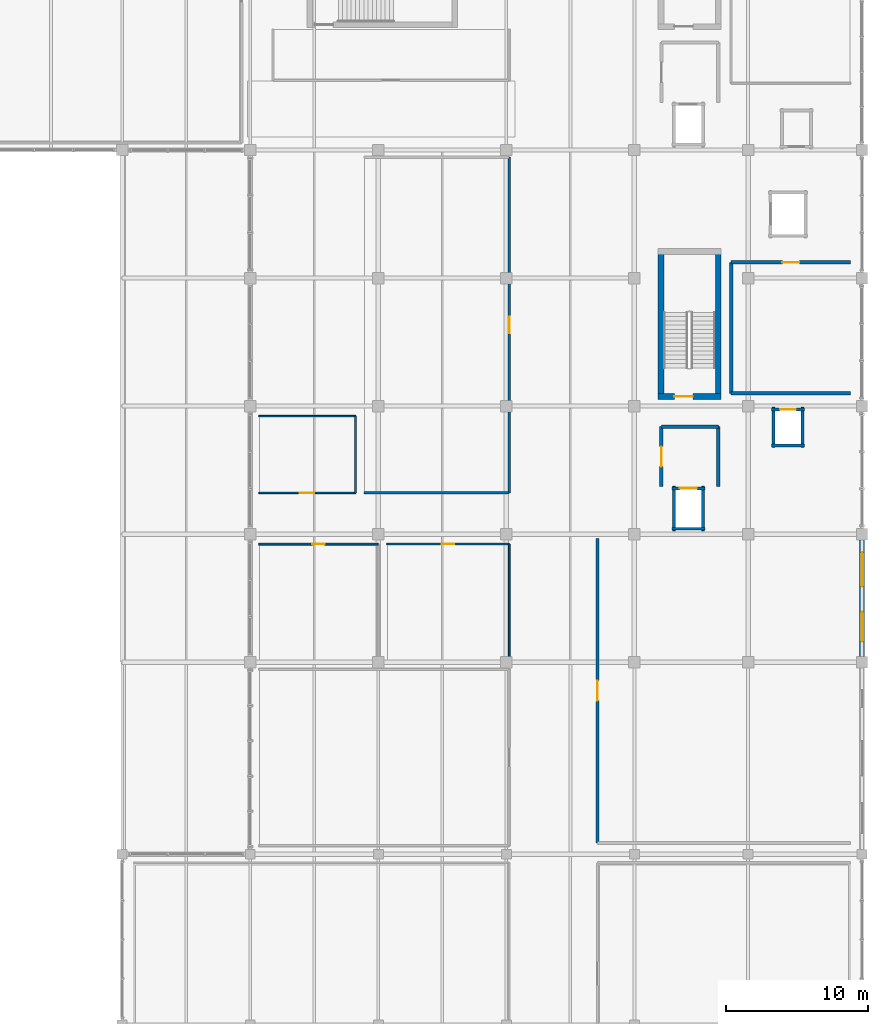
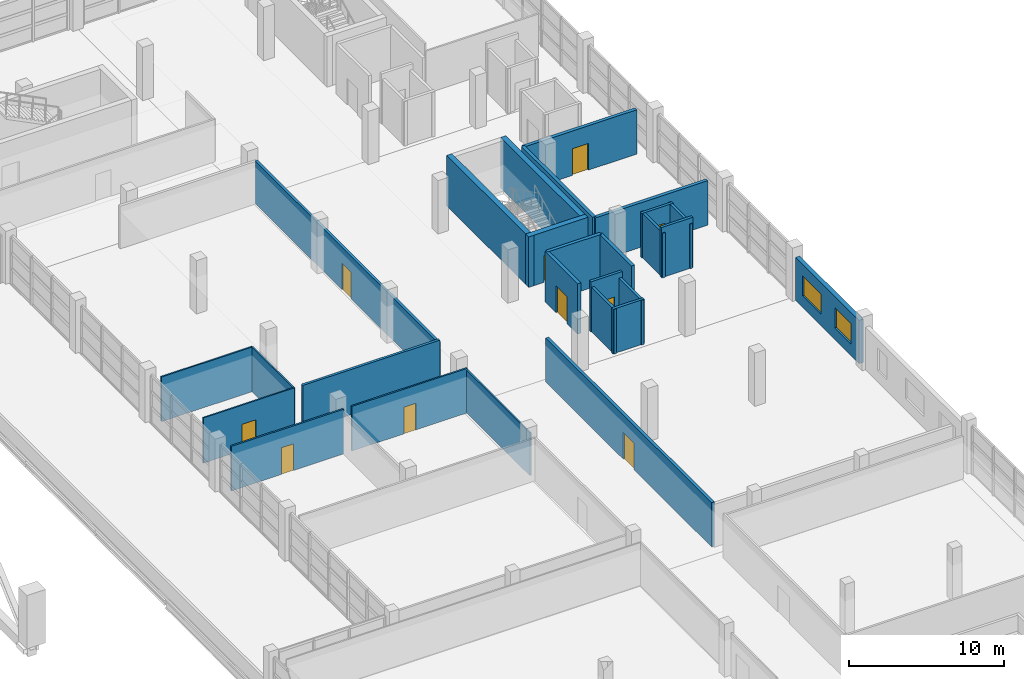
# One storey, part 122 of 136: 27 walls, 10 doors, 2 windows, 12 openings.
"""IFC4 building model written with IfcOpenShell, lengths in metres."""

from ifc_helpers import new_model, si_unit, direction, frame, frame_2d, origin, place, context, subcontext, project, spatial, rectangle, extrude, material, layer, layer_set, type_object, element, fill, save


model = new_model("IFC4")

# Units and contexts
model_context = context("Model", 3, precision=1e-05, world=origin(), true_north=direction((0.0, 1.0)))
body_context = subcontext(model_context, "Body", "Model", "MODEL_VIEW")
ifc_project = project(units=[si_unit("LENGTHUNIT", "METRE"), si_unit("AREAUNIT", "SQUARE_METRE"), si_unit("VOLUMEUNIT", "CUBIC_METRE"), si_unit("PLANEANGLEUNIT", "RADIAN"), si_unit("MASSUNIT", "GRAM", prefix="KILO")], contexts=[model_context])

# Site, building, storey
site_placement = place(None, origin())
site = spatial("IfcSite", under=ifc_project, at=site_placement, CompositionType="ELEMENT")
building_placement = place(site_placement, origin())
building = spatial("IfcBuilding", under=site, at=building_placement, Name="Chuanluo Vaults Station", CompositionType="ELEMENT")
storey_placement = place(building_placement, frame((0.0, 0.0, 6.60009765625)))
storey = spatial("IfcBuildingStorey", under=building, at=storey_placement, Name="L01", CompositionType="ELEMENT", Elevation=6.60009765625)

# Walls
ifc_material_1 = material(Name="Concrete C50", Category="concrete")
ifc_layer_1 = layer(ifc_material_1, 0.39990234375)
ifc_layer_set_1 = layer_set([ifc_layer_1], Name="Concrete C50")
wall_type_1 = type_object("IfcWallType", Name="WL-COR-400", PredefinedType="SHEAR", material=ifc_layer_set_1)
for number, where, z_axis, x_axis, name in (
    (1, (177.887451171875, 85.97509765625, 0.0), (0.0, 0.0, 1.0), (0.0, 1.0, 0.0), "Core K1 left shear wall"),
    (2, (173.867431640625, 96.572509765625, 0.0), (0.0, 0.0, 1.0), (0.0, -1.0, 0.0), "Core K1 right shear wall"),
):
    element("IfcWall", number, at=place(storey_placement, frame(where, z_axis=z_axis, x_axis=x_axis)), inside=storey, type_object=wall_type_1, Name=name, PredefinedType="SHEAR", context=body_context, shape_type="SweptSolid", body=[
        extrude(rectangle(XDim=10.597412109375, YDim=0.39990234375, at=frame_2d((5.298828125, 0.0))), origin(), (0.0, 0.0, 1.0), 3.97998046875),
    ])

# Wall, opening, door
wall_1_placement = place(storey_placement, frame((173.66748046875, 86.175048828125, 0.0), z_axis=(0.0, 0.0, 1.0), x_axis=(1.0, 0.0, 0.0)))
wall_1 = element("IfcWall", 3, at=wall_1_placement, inside=storey, type_object=wall_type_1, Name="Core K1 near shear wall", PredefinedType="SHEAR", context=body_context, shape_type="SweptSolid", body=[
    extrude(rectangle(XDim=4.419921875, YDim=0.39990234375, at=frame_2d((2.2099609375, 0.0))), origin(), (0.0, 0.0, 1.0), 3.97998046875),
])
opening_1_placement = place(wall_1_placement, frame((1.14990234375, 0.0, 0.0)))
opening_1 = element("IfcOpeningElement", 4, at=opening_1_placement, cuts=wall_1, Name="Opening FD-05", PredefinedType="OPENING", context=body_context, shape_type="SweptSolid", body=[
    extrude(rectangle(XDim=1.300048828125, YDim=2.10009765625, at=frame_2d((0.64990234375, 1.050048828125))), frame((0.0, 0.20995, 0.0), z_axis=(0.0, -1.0, 0.0), x_axis=(1.0, 0.0, 0.0)), (0.0, 0.0, 1.0), 0.4199),
])
ifc_material_2 = material(Name="Fire-rated steel leaf", Category="steel")
door_type_1 = type_object("IfcDoorType", Name="DR-FIR-1300x2100", OperationType="NOTDEFINED", PredefinedType="DOOR", material=ifc_material_2)
door_1_placement = place(opening_1_placement, origin())
door_1 = element("IfcDoor", 5, at=door_1_placement, inside=storey, type_object=door_type_1, Name="D-060 Stair ST-01 fire door", OperationType="SINGLE_SWING_LEFT", OverallHeight=2.10009765625, OverallWidth=1.300048828125, PredefinedType="DOOR", context=body_context, shape_type="SweptSolid", body=[
    extrude(rectangle(XDim=1.300048828125, YDim=2.10009765625, at=frame_2d((0.64990234375, 1.050048828125))), frame((0.0, 0.02490234375, 0.0), z_axis=(0.0, -1.0, 0.0), x_axis=(1.0, 0.0, 0.0)), (0.0, 0.0, 1.0), 0.050048828125),
])
fill(opening_1, door_1)

# Wall, openings, windows
ifc_material_3 = material(Name="Concrete C40", Category="concrete")
ifc_layer_2 = layer(ifc_material_3, 0.320068359375)
ifc_layer_set_2 = layer_set([ifc_layer_2], Name="Concrete C40")
wall_type_2 = type_object("IfcWallType", Name="WL-EXT-320", PredefinedType="SOLIDWALL", material=ifc_layer_set_2)
wall_2_placement = place(storey_placement, frame((188.0, 76.10009765625, 0.0), z_axis=(0.0, 0.0, 1.0), x_axis=(0.0, -1.0, 0.0)))
wall_2 = element("IfcWall", 6, at=wall_2_placement, inside=storey, type_object=wall_type_2, Name="L01 exterior punched wall 05", PredefinedType="SOLIDWALL", context=body_context, shape_type="SweptSolid", body=[
    extrude(rectangle(XDim=8.2001953125, YDim=0.320068359375, at=frame_2d((4.10009765625, 0.0))), origin(), (0.0, 0.0, 1.0), 3.389892578125),
])
opening_2_placement = place(wall_2_placement, frame((0.889892578125, 0.0, 0.89990234375)))
opening_2 = element("IfcOpeningElement", 7, at=opening_2_placement, cuts=wall_2, Name="Opening W-06", PredefinedType="OPENING", context=body_context, shape_type="SweptSolid", body=[
    extrude(rectangle(XDim=2.39990234375, YDim=1.60009765625, at=frame_2d((1.199951171875, 0.800048828125))), frame((0.0, 0.17016, 0.0), z_axis=(0.0, -1.0, 0.0), x_axis=(1.0, 0.0, 0.0)), (0.0, 0.0, 1.0), 0.34007),
])
opening_3_placement = place(wall_2_placement, frame((5.06005859375, 0.0, 0.89990234375)))
opening_3 = element("IfcOpeningElement", 8, at=opening_3_placement, cuts=wall_2, Name="Opening W-07", PredefinedType="OPENING", context=body_context, shape_type="SweptSolid", body=[
    extrude(rectangle(XDim=2.10009765625, YDim=1.60009765625, at=frame_2d((1.050048828125, 0.800048828125))), frame((0.0, 0.17016, 0.0), z_axis=(0.0, -1.0, 0.0), x_axis=(1.0, 0.0, 0.0)), (0.0, 0.0, 1.0), 0.34007),
])
ifc_material_4 = material(Name="Double-silver Low-E laminated glass", Category="glass")
window_type_1 = type_object("IfcWindowType", Name="WN-OPS-2100x1600", PartitioningType="SINGLE_PANEL", PredefinedType="WINDOW", material=ifc_material_4)
window_1_placement = place(opening_3_placement, origin())
window_1 = element("IfcWindow", 9, at=window_1_placement, inside=storey, type_object=window_type_1, Name="W-071 L01 facade window", OverallHeight=1.60009765625, OverallWidth=2.10009765625, PartitioningType="SINGLE_PANEL", PredefinedType="WINDOW", context=body_context, shape_type="SweptSolid", body=[
    extrude(rectangle(XDim=2.10009765625, YDim=1.60009765625, at=frame_2d((1.050048828125, 0.800048828125))), frame((0.0, 0.030029296875, 0.0), z_axis=(0.0, -1.0, 0.0), x_axis=(1.0, 0.0, 0.0)), (0.0, 0.0, 1.0), 0.06005859375),
])
fill(opening_3, window_1)
ifc_material_5 = material(Name="Double-silver Low-E laminated glass", Category="glass")
window_type_2 = type_object("IfcWindowType", Name="WN-OPS-2400x1600", PartitioningType="SINGLE_PANEL", PredefinedType="WINDOW", material=ifc_material_5)
window_2_placement = place(opening_2_placement, origin())
window_2 = element("IfcWindow", 10, at=window_2_placement, inside=storey, type_object=window_type_2, Name="W-070 L01 facade window", OverallHeight=1.60009765625, OverallWidth=2.39990234375, PartitioningType="SINGLE_PANEL", PredefinedType="WINDOW", context=body_context, shape_type="SweptSolid", body=[
    extrude(rectangle(XDim=2.39990234375, YDim=1.60009765625, at=frame_2d((1.199951171875, 0.800048828125))), frame((0.0, 0.030029296875, 0.0), z_axis=(0.0, -1.0, 0.0), x_axis=(1.0, 0.0, 0.0)), (0.0, 0.0, 1.0), 0.06005859375),
])
fill(opening_2, window_2)

# Wall, opening, door
ifc_material_6 = material(Name="Concrete C40", Category="concrete")
ifc_layer_3 = layer(ifc_material_6, 0.219970703125)
ifc_layer_set_3 = layer_set([ifc_layer_3], Name="Concrete C40")
wall_type_3 = type_object("IfcWallType", Name="WL-FIR-220", PredefinedType="SOLIDWALL", material=ifc_layer_set_3)
wall_3_placement = place(storey_placement, frame((169.39990234375, 54.800048828125, 0.0), z_axis=(0.0, 0.0, 1.0), x_axis=(0.0, 1.0, 0.0)))
wall_3 = element("IfcWall", 11, at=wall_3_placement, inside=storey, type_object=wall_type_3, Name="L01-19 Signal Relay Equipment Room W partition", PredefinedType="SOLIDWALL", context=body_context, shape_type="SweptSolid", body=[
    extrude(rectangle(XDim=21.39990234375, YDim=0.219970703125, at=frame_2d((10.699951171875, 0.0))), origin(), (0.0, 0.0, 1.0), 3.48486328125),
])
opening_4_placement = place(wall_3_placement, frame((10.0, 0.0, 0.0)))
opening_4 = element("IfcOpeningElement", 12, at=opening_4_placement, cuts=wall_3, Name="Opening FD-04", PredefinedType="OPENING", context=body_context, shape_type="SweptSolid", body=[
    extrude(rectangle(XDim=1.39990234375, YDim=2.10009765625, at=frame_2d((0.699951171875, 1.050048828125))), frame((0.0, 0.11986, 0.0), z_axis=(0.0, -1.0, 0.0), x_axis=(1.0, 0.0, 0.0)), (0.0, 0.0, 1.0), 0.23997),
])
ifc_material_7 = material(Name="Fire-rated steel leaf", Category="steel")
door_type_2 = type_object("IfcDoorType", Name="DR-FIR-1400x2100", OperationType="NOTDEFINED", PredefinedType="DOOR", material=ifc_material_7)
door_2_placement = place(opening_4_placement, origin())
door_2 = element("IfcDoor", 13, at=door_2_placement, inside=storey, type_object=door_type_2, Name="D-193 Signal Relay Equipment Room door", OperationType="SINGLE_SWING_RIGHT", OverallHeight=2.10009765625, OverallWidth=1.39990234375, PredefinedType="DOOR", context=body_context, shape_type="SweptSolid", body=[
    extrude(rectangle(XDim=1.39990234375, YDim=2.10009765625, at=frame_2d((0.699951171875, 1.050048828125))), frame((0.0, 0.02490234375, 0.0), z_axis=(0.0, -1.0, 0.0), x_axis=(1.0, 0.0, 0.0)), (0.0, 0.0, 1.0), 0.050048828125),
])
fill(opening_4, door_2)

# Wall
ifc_material_8 = material(Name="Concrete C40", Category="concrete")
ifc_layer_4 = layer(ifc_material_8, 0.25)
ifc_layer_set_4 = layer_set([ifc_layer_4], Name="Concrete C40")
wall_type_4 = type_object("IfcWallType", Name="WL-FIR-250", PredefinedType="SOLIDWALL", material=ifc_layer_set_4)
wall_4_placement = place(storey_placement, frame((187.199951171875, 86.39990234375, 0.0), z_axis=(0.0, 0.0, 1.0), x_axis=(-1.0, 0.0, 0.0)))
element("IfcWall", 14, at=wall_4_placement, inside=storey, type_object=wall_type_4, Name="L01-22 East Telecom Equipment Suite S partition", PredefinedType="SOLIDWALL", context=body_context, shape_type="SweptSolid", body=[
    extrude(rectangle(XDim=8.39990234375, YDim=0.25, at=frame_2d((4.199951171875, 0.0))), origin(), (0.0, 0.0, 1.0), 3.494873046875),
])

# Wall, opening, door
wall_5_placement = place(storey_placement, frame((178.800048828125, 95.60009765625, 0.0), z_axis=(0.0, 0.0, 1.0), x_axis=(1.0, 0.0, 0.0)))
wall_5 = element("IfcWall", 15, at=wall_5_placement, inside=storey, type_object=wall_type_4, Name="L01-22 East Telecom Equipment Suite N partition", PredefinedType="SOLIDWALL", context=body_context, shape_type="SweptSolid", body=[
    extrude(rectangle(XDim=8.39990234375, YDim=0.25, at=frame_2d((4.199951171875, 0.0))), origin(), (0.0, 0.0, 1.0), 3.494873046875),
])
opening_5_placement = place(wall_5_placement, frame((3.60009765625, 0.0, 0.0)))
opening_5 = element("IfcOpeningElement", 16, at=opening_5_placement, cuts=wall_5, Name="Opening FD-06", PredefinedType="OPENING", context=body_context, shape_type="SweptSolid", body=[
    extrude(rectangle(XDim=1.199951171875, YDim=2.10009765625, at=frame_2d((0.60009765625, 1.050048828125))), frame((0.0, 0.135, 0.0), z_axis=(0.0, -1.0, 0.0), x_axis=(1.0, 0.0, 0.0)), (0.0, 0.0, 1.0), 0.27),
])
ifc_material_9 = material(Name="Fire-rated steel leaf", Category="steel")
door_type_3 = type_object("IfcDoorType", Name="DR-FIR-1200x2100", OperationType="NOTDEFINED", PredefinedType="DOOR", material=ifc_material_9)
door_3_placement = place(opening_5_placement, origin())
door_3 = element("IfcDoor", 17, at=door_3_placement, inside=storey, type_object=door_type_3, Name="D-195 East Telecom Equipment Suite door", OperationType="SINGLE_SWING_RIGHT", OverallHeight=2.10009765625, OverallWidth=1.199951171875, PredefinedType="DOOR", context=body_context, shape_type="SweptSolid", body=[
    extrude(rectangle(XDim=1.199951171875, YDim=2.10009765625, at=frame_2d((0.60009765625, 1.050048828125))), frame((0.0, 0.02490234375, 0.0), z_axis=(0.0, -1.0, 0.0), x_axis=(1.0, 0.0, 0.0)), (0.0, 0.0, 1.0), 0.050048828125),
])
fill(opening_5, door_3)

# Walls
wall_6_placement = place(storey_placement, frame((178.800048828125, 86.39990234375, 0.0), z_axis=(0.0, 0.0, 1.0), x_axis=(0.0, 1.0, 0.0)))
element("IfcWall", 18, at=wall_6_placement, inside=storey, type_object=wall_type_4, Name="L01-22 East Telecom Equipment Suite W partition", PredefinedType="SOLIDWALL", context=body_context, shape_type="SweptSolid", body=[
    extrude(rectangle(XDim=9.2001953125, YDim=0.25, at=frame_2d((4.60009765625, 0.0))), origin(), (0.0, 0.0, 1.0), 3.514892578125),
])
wall_7_placement = place(storey_placement, frame((173.89990234375, 84.050048828125, 0.0), z_axis=(0.0, 0.0, 1.0), x_axis=(1.0, 0.0, 0.0)))
element("IfcWall", 19, at=wall_7_placement, inside=storey, type_object=wall_type_4, Name="L01-FFL-K1 Firefighting Lift Lobby FFL-01 L01 N partition", PredefinedType="SOLIDWALL", context=body_context, shape_type="SweptSolid", body=[
    extrude(rectangle(XDim=4.0, YDim=0.25, at=frame_2d((2.0, 0.0))), origin(), (0.0, 0.0, 1.0), 3.954833984375),
])

# Wall, opening, door
wall_8_placement = place(storey_placement, frame((173.89990234375, 79.85009765625, 0.0), z_axis=(0.0, 0.0, 1.0), x_axis=(0.0, 1.0, 0.0)))
wall_8 = element("IfcWall", 20, at=wall_8_placement, inside=storey, type_object=wall_type_4, Name="L01-FFL-K1 Firefighting Lift Lobby FFL-01 L01 W partition", PredefinedType="SOLIDWALL", context=body_context, shape_type="SweptSolid", body=[
    extrude(rectangle(XDim=4.199951171875, YDim=0.25, at=frame_2d((2.10009765625, 0.0))), origin(), (0.0, 0.0, 1.0), 3.954833984375),
])
opening_6_placement = place(wall_8_placement, frame((1.39990234375, 0.0, 0.0)))
opening_6 = element("IfcOpeningElement", 21, at=opening_6_placement, cuts=wall_8, Name="Opening FD-04", PredefinedType="OPENING", context=body_context, shape_type="SweptSolid", body=[
    extrude(rectangle(XDim=1.39990234375, YDim=2.10009765625, at=frame_2d((0.699951171875, 1.050048828125))), frame((0.0, 0.135, 0.0), z_axis=(0.0, -1.0, 0.0), x_axis=(1.0, 0.0, 0.0)), (0.0, 0.0, 1.0), 0.27),
])
door_4_placement = place(opening_6_placement, origin())
door_4 = element("IfcDoor", 22, at=door_4_placement, inside=storey, type_object=door_type_2, Name="D-269 Firefighting Lift Lobby FFL-01 L01 door", OperationType="SINGLE_SWING_RIGHT", OverallHeight=2.10009765625, OverallWidth=1.39990234375, PredefinedType="DOOR", context=body_context, shape_type="SweptSolid", body=[
    extrude(rectangle(XDim=1.39990234375, YDim=2.10009765625, at=frame_2d((0.699951171875, 1.050048828125))), frame((0.0, 0.02490234375, 0.0), z_axis=(0.0, -1.0, 0.0), x_axis=(1.0, 0.0, 0.0)), (0.0, 0.0, 1.0), 0.050048828125),
])
fill(opening_6, door_4)

# Wall
wall_9_placement = place(storey_placement, frame((177.89990234375, 84.050048828125, 0.0), z_axis=(0.0, 0.0, 1.0), x_axis=(0.0, -1.0, 0.0)))
element("IfcWall", 23, at=wall_9_placement, inside=storey, type_object=wall_type_4, Name="L01-FFL-K1 Firefighting Lift Lobby FFL-01 L01 E partition", PredefinedType="SOLIDWALL", context=body_context, shape_type="SweptSolid", body=[
    extrude(rectangle(XDim=4.199951171875, YDim=0.25, at=frame_2d((2.10009765625, 0.0))), origin(), (0.0, 0.0, 1.0), 3.954833984375),
])

# Wall, opening, door
ifc_material_10 = material(Name="Masonry blockwork M10", Category="masonry")
ifc_layer_5 = layer(ifc_material_10, 0.110107421875)
ifc_layer_set_5 = layer_set([ifc_layer_5], Name="Masonry blockwork M10")
wall_type_5 = type_object("IfcWallType", Name="WL-PRT-110", PredefinedType="PARTITIONING", material=ifc_layer_set_5)
wall_10_placement = place(storey_placement, frame((152.39990234375, 79.39990234375, 0.0), z_axis=(0.0, 0.0, 1.0), x_axis=(-1.0, 0.0, 0.0)))
wall_10 = element("IfcWall", 24, at=wall_10_placement, inside=storey, type_object=wall_type_5, Name="L01-15 Departure Level Accessible WC S partition", PredefinedType="PARTITIONING", context=body_context, shape_type="SweptSolid", body=[
    extrude(rectangle(XDim=6.7998046875, YDim=0.110107421875, at=frame_2d((3.39990234375, 0.0))), origin(), (0.0, 0.0, 1.0), 3.56494140625),
])
opening_7_placement = place(wall_10_placement, frame((2.889892578125, 0.0, 0.0)))
opening_7 = element("IfcOpeningElement", 25, at=opening_7_placement, cuts=wall_10, Name="Opening D-WC2", PredefinedType="OPENING", context=body_context, shape_type="SweptSolid", body=[
    extrude(rectangle(XDim=1.02001953125, YDim=2.050048828125, at=frame_2d((0.510009765625, 1.02490234375))), frame((0.0, 0.06518, 0.0), z_axis=(0.0, -1.0, 0.0), x_axis=(1.0, 0.0, 0.0)), (0.0, 0.0, 1.0), 0.13011),
])
ifc_material_11 = material(Name="Anodised aluminium 6063-T6", Category="aluminium")
door_type_4 = type_object("IfcDoorType", Name="DR-AWC-1020x2050", OperationType="NOTDEFINED", PredefinedType="DOOR", material=ifc_material_11)
door_5_placement = place(opening_7_placement, origin())
door_5 = element("IfcDoor", 26, at=door_5_placement, inside=storey, type_object=door_type_4, Name="D-191 Departure Level Accessible WC door", OperationType="SINGLE_SWING_RIGHT", OverallHeight=2.050048828125, OverallWidth=1.02001953125, PredefinedType="DOOR", context=body_context, shape_type="SweptSolid", body=[
    extrude(rectangle(XDim=1.02001953125, YDim=2.050048828125, at=frame_2d((0.510009765625, 1.02490234375))), frame((0.0, 0.02490234375, 0.0), z_axis=(0.0, -1.0, 0.0), x_axis=(1.0, 0.0, 0.0)), (0.0, 0.0, 1.0), 0.050048828125),
])
fill(opening_7, door_5)

# Walls
wall_11_placement = place(storey_placement, frame((145.60009765625, 84.800048828125, 0.0), z_axis=(0.0, 0.0, 1.0), x_axis=(1.0, 0.0, 0.0)))
element("IfcWall", 27, at=wall_11_placement, inside=storey, type_object=wall_type_5, Name="L01-15 Departure Level Accessible WC N partition", PredefinedType="PARTITIONING", context=body_context, shape_type="SweptSolid", body=[
    extrude(rectangle(XDim=6.7998046875, YDim=0.110107421875, at=frame_2d((3.39990234375, 0.0))), origin(), (0.0, 0.0, 1.0), 3.514892578125),
])
wall_12_placement = place(storey_placement, frame((152.39990234375, 84.800048828125, 0.0), z_axis=(0.0, 0.0, 1.0), x_axis=(0.0, -1.0, 0.0)))
element("IfcWall", 28, at=wall_12_placement, inside=storey, type_object=wall_type_5, Name="L01-15 Departure Level Accessible WC E partition", PredefinedType="PARTITIONING", context=body_context, shape_type="SweptSolid", body=[
    extrude(rectangle(XDim=5.400146484375, YDim=0.110107421875, at=frame_2d((2.7001953125, 0.0))), origin(), (0.0, 0.0, 1.0), 3.514892578125),
])

# Wall, opening, door
ifc_material_12 = material(Name="Masonry blockwork M10", Category="masonry")
ifc_layer_6 = layer(ifc_material_12, 0.1201171875)
ifc_layer_set_6 = layer_set([ifc_layer_6], Name="Masonry blockwork M10")
wall_type_6 = type_object("IfcWallType", Name="WL-PRT-120", PredefinedType="PARTITIONING", material=ifc_layer_set_6)
wall_13_placement = place(storey_placement, frame((154.60009765625, 75.800048828125, 0.0), z_axis=(0.0, 0.0, 1.0), x_axis=(1.0, 0.0, 0.0)))
wall_13 = element("IfcWall", 29, at=wall_13_placement, inside=storey, type_object=wall_type_6, Name="L01-14 Departure Level Female Toilet N partition", PredefinedType="PARTITIONING", context=body_context, shape_type="SweptSolid", body=[
    extrude(rectangle(XDim=8.599853515625, YDim=0.1201171875, at=frame_2d((4.2998046875, 0.0))), origin(), (0.0, 0.0, 1.0), 3.514892578125),
])
opening_8_placement = place(wall_13_placement, frame((3.85009765625, 0.0, 0.0)))
opening_8 = element("IfcOpeningElement", 30, at=opening_8_placement, cuts=wall_13, Name="Opening D-WC1", PredefinedType="OPENING", context=body_context, shape_type="SweptSolid", body=[
    extrude(rectangle(XDim=0.89990234375, YDim=2.10009765625, at=frame_2d((0.449951171875, 1.050048828125))), frame((0.0, 0.07006, 0.0), z_axis=(0.0, -1.0, 0.0), x_axis=(1.0, 0.0, 0.0)), (0.0, 0.0, 1.0), 0.14012),
])
ifc_material_13 = material(Name="Anodised aluminium 6063-T6", Category="aluminium")
door_type_5 = type_object("IfcDoorType", Name="DR-WC-0900x2100", OperationType="NOTDEFINED", PredefinedType="DOOR", material=ifc_material_13)
door_6_placement = place(opening_8_placement, origin())
door_6 = element("IfcDoor", 31, at=door_6_placement, inside=storey, type_object=door_type_5, Name="D-190 Departure Level Female Toilet door", OperationType="SINGLE_SWING_LEFT", OverallHeight=2.10009765625, OverallWidth=0.89990234375, PredefinedType="DOOR", context=body_context, shape_type="SweptSolid", body=[
    extrude(rectangle(XDim=0.89990234375, YDim=2.10009765625, at=frame_2d((0.449951171875, 1.050048828125))), frame((0.0, 0.02490234375, 0.0), z_axis=(0.0, -1.0, 0.0), x_axis=(1.0, 0.0, 0.0)), (0.0, 0.0, 1.0), 0.050048828125),
])
fill(opening_8, door_6)

# Wall
wall_14_placement = place(storey_placement, frame((163.199951171875, 75.800048828125, 0.0), z_axis=(0.0, 0.0, 1.0), x_axis=(0.0, -1.0, 0.0)))
element("IfcWall", 32, at=wall_14_placement, inside=storey, type_object=wall_type_6, Name="L01-14 Departure Level Female Toilet E partition", PredefinedType="PARTITIONING", context=body_context, shape_type="SweptSolid", body=[
    extrude(rectangle(XDim=8.199951171875, YDim=0.1201171875, at=frame_2d((4.10009765625, 0.0))), origin(), (0.0, 0.0, 1.0), 3.369873046875),
])

# Wall, opening, door
ifc_material_14 = material(Name="Masonry blockwork M10", Category="masonry")
ifc_layer_7 = layer(ifc_material_14, 0.1298828125)
ifc_layer_set_7 = layer_set([ifc_layer_7], Name="Masonry blockwork M10")
wall_type_7 = type_object("IfcWallType", Name="WL-PRT-130", PredefinedType="PARTITIONING", material=ifc_layer_set_7)
wall_15_placement = place(storey_placement, frame((145.60009765625, 75.800048828125, 0.0), z_axis=(0.0, 0.0, 1.0), x_axis=(1.0, 0.0, 0.0)))
wall_15 = element("IfcWall", 33, at=wall_15_placement, inside=storey, type_object=wall_type_7, Name="L01-13 Departure Level Male Toilet N partition", PredefinedType="PARTITIONING", context=body_context, shape_type="SweptSolid", body=[
    extrude(rectangle(XDim=8.39990234375, YDim=0.1298828125, at=frame_2d((4.199951171875, 0.0))), origin(), (0.0, 0.0, 1.0), 3.514892578125),
])
opening_9_placement = place(wall_15_placement, frame((3.75, 0.0, 0.0)))
opening_9 = element("IfcOpeningElement", 34, at=opening_9_placement, cuts=wall_15, Name="Opening D-WC1", PredefinedType="OPENING", context=body_context, shape_type="SweptSolid", body=[
    extrude(rectangle(XDim=0.89990234375, YDim=2.10009765625, at=frame_2d((0.449951171875, 1.050048828125))), frame((0.0, 0.07494, 0.0), z_axis=(0.0, -1.0, 0.0), x_axis=(1.0, 0.0, 0.0)), (0.0, 0.0, 1.0), 0.14988),
])
door_7_placement = place(opening_9_placement, origin())
door_7 = element("IfcDoor", 35, at=door_7_placement, inside=storey, type_object=door_type_5, Name="D-189 Departure Level Male Toilet door", OperationType="SINGLE_SWING_RIGHT", OverallHeight=2.10009765625, OverallWidth=0.89990234375, PredefinedType="DOOR", context=body_context, shape_type="SweptSolid", body=[
    extrude(rectangle(XDim=0.89990234375, YDim=2.10009765625, at=frame_2d((0.449951171875, 1.050048828125))), frame((0.0, 0.02490234375, 0.0), z_axis=(0.0, -1.0, 0.0), x_axis=(1.0, 0.0, 0.0)), (0.0, 0.0, 1.0), 0.050048828125),
])
fill(opening_9, door_7)

# Wall
ifc_material_15 = material(Name="Autoclaved aerated concrete blockwork MU10", Category="masonry")
ifc_layer_8 = layer(ifc_material_15, 0.18994140625)
ifc_layer_set_8 = layer_set([ifc_layer_8], Name="Autoclaved aerated concrete blockwork MU10")
wall_type_8 = type_object("IfcWallType", Name="WL-PRT-190", PredefinedType="PARTITIONING", material=ifc_layer_set_8)
wall_16_placement = place(storey_placement, frame((163.199951171875, 79.39990234375, 0.0), z_axis=(0.0, 0.0, 1.0), x_axis=(-1.0, 0.0, 0.0)))
element("IfcWall", 36, at=wall_16_placement, inside=storey, type_object=wall_type_8, Name="L01-17 Passenger Assistance and Ticketing Office S partition", PredefinedType="PARTITIONING", context=body_context, shape_type="SweptSolid", body=[
    extrude(rectangle(XDim=10.199951171875, YDim=0.18994140625, at=frame_2d((5.10009765625, 0.0))), origin(), (0.0, 0.0, 1.0), 3.56494140625),
])

# Wall, opening, door
wall_17_placement = place(storey_placement, frame((163.199951171875, 103.0, 0.0), z_axis=(0.0, 0.0, 1.0), x_axis=(0.0, -1.0, 0.0)))
wall_17 = element("IfcWall", 37, at=wall_17_placement, inside=storey, type_object=wall_type_8, Name="L01-17 Passenger Assistance and Ticketing Office E partition", PredefinedType="PARTITIONING", context=body_context, shape_type="SweptSolid", body=[
    extrude(rectangle(XDim=23.60009765625, YDim=0.18994140625, at=frame_2d((11.800048828125, 0.0))), origin(), (0.0, 0.0, 1.0), 3.35498046875),
])
opening_10_placement = place(wall_17_placement, frame((11.22509765625, 0.0, 0.0)))
opening_10 = element("IfcOpeningElement", 38, at=opening_10_placement, cuts=wall_17, Name="Opening D-I06", PredefinedType="OPENING", context=body_context, shape_type="SweptSolid", body=[
    extrude(rectangle(XDim=1.14990234375, YDim=2.10009765625, at=frame_2d((0.574951171875, 1.050048828125))), frame((0.0, 0.10497, 0.0), z_axis=(0.0, -1.0, 0.0), x_axis=(1.0, 0.0, 0.0)), (0.0, 0.0, 1.0), 0.20994),
])
ifc_material_16 = material(Name="Anodised aluminium 6063-T6", Category="aluminium")
door_type_6 = type_object("IfcDoorType", Name="DR-INT-1150x2100", OperationType="NOTDEFINED", PredefinedType="DOOR", material=ifc_material_16)
door_8_placement = place(opening_10_placement, origin())
door_8 = element("IfcDoor", 39, at=door_8_placement, inside=storey, type_object=door_type_6, Name="D-192 Passenger Assistance and Ticketing Office door", OperationType="SINGLE_SWING_LEFT", OverallHeight=2.10009765625, OverallWidth=1.14990234375, PredefinedType="DOOR", context=body_context, shape_type="SweptSolid", body=[
    extrude(rectangle(XDim=1.14990234375, YDim=2.10009765625, at=frame_2d((0.574951171875, 1.050048828125))), frame((0.0, 0.02490234375, 0.0), z_axis=(0.0, -1.0, 0.0), x_axis=(1.0, 0.0, 0.0)), (0.0, 0.0, 1.0), 0.050048828125),
])
fill(opening_10, door_8)

# Wall
ifc_material_17 = material(Name="Concrete C40", Category="concrete")
ifc_layer_9 = layer(ifc_material_17, 0.199951171875)
ifc_layer_set_9 = layer_set([ifc_layer_9], Name="Concrete C40")
wall_type_9 = type_object("IfcWallType", Name="WL-SHF-200", PredefinedType="SOLIDWALL", material=ifc_layer_set_9)
wall_18_placement = place(storey_placement, frame((174.6298828125, 76.8798828125, 0.0), z_axis=(0.0, 0.0, 1.0), x_axis=(1.0, 0.0, 0.0)))
element("IfcWall", 40, at=wall_18_placement, inside=storey, type_object=wall_type_9, Name="Lift FFL-01 shaft wall L01 -Y", PredefinedType="SOLIDWALL", context=body_context, shape_type="SweptSolid", body=[
    extrude(rectangle(XDim=2.340087890625, YDim=0.199951171875, at=frame_2d((1.169921875, 0.0))), origin(), (0.0, 0.0, 1.0), 3.514892578125),
])

# Wall, opening, door
wall_19_placement = place(storey_placement, frame((176.969970703125, 79.719970703125, 0.0), z_axis=(0.0, 0.0, 1.0), x_axis=(-1.0, 0.0, 0.0)))
wall_19 = element("IfcWall", 41, at=wall_19_placement, inside=storey, type_object=wall_type_9, Name="Lift FFL-01 shaft wall L01 +Y", PredefinedType="SOLIDWALL", context=body_context, shape_type="SweptSolid", body=[
    extrude(rectangle(XDim=2.340087890625, YDim=0.199951171875, at=frame_2d((1.169921875, 0.0))), origin(), (0.0, 0.0, 1.0), 3.954833984375),
])
opening_11_placement = place(wall_19_placement, frame((0.570068359375, 0.0, 0.0)))
opening_11 = element("IfcOpeningElement", 42, at=opening_11_placement, cuts=wall_19, Name="Opening LD-02", PredefinedType="OPENING", context=body_context, shape_type="SweptSolid", body=[
    extrude(rectangle(XDim=1.199951171875, YDim=2.14990234375, at=frame_2d((0.60009765625, 1.074951171875))), frame((0.0, 0.1101, 0.0), z_axis=(0.0, -1.0, 0.0), x_axis=(1.0, 0.0, 0.0)), (0.0, 0.0, 1.0), 0.21995),
])
ifc_material_18 = material(Name="Brushed stainless steel 304", Category="steel")
door_type_7 = type_object("IfcDoorType", Name="DR-LFT-1200x2150", OperationType="SLIDING_TO_LEFT", PredefinedType="DOOR", material=ifc_material_18)
door_9_placement = place(opening_11_placement, origin())
door_9 = element("IfcDoor", 43, at=door_9_placement, inside=storey, type_object=door_type_7, Name="LD-FFL-01-03 Lift FFL-01 sliding landing door L01", OperationType="SLIDING_TO_LEFT", OverallHeight=2.14990234375, OverallWidth=1.199951171875, PredefinedType="DOOR", context=body_context, shape_type="SweptSolid", body=[
    extrude(rectangle(XDim=1.199951171875, YDim=2.14990234375, at=frame_2d((0.60009765625, 1.074951171875))), frame((0.0, 0.02490234375, 0.0), z_axis=(0.0, -1.0, 0.0), x_axis=(1.0, 0.0, 0.0)), (0.0, 0.0, 1.0), 0.050048828125),
])
fill(opening_11, door_9)

# Walls
for number, where, z_axis, x_axis, name in (
    (44, (174.780029296875, 79.8701171875, 0.0), (0.0, 0.0, 1.0), (0.0, -1.0, 0.0), "Lift FFL-01 shaft wall L01 -X"),
    (45, (176.820068359375, 76.72998046875, 0.0), (0.0, 0.0, 1.0), (0.0, 1.0, 0.0), "Lift FFL-01 shaft wall L01 +X"),
):
    element("IfcWall", number, at=place(storey_placement, frame(where, z_axis=z_axis, x_axis=x_axis)), inside=storey, type_object=wall_type_9, Name=name, PredefinedType="SOLIDWALL", context=body_context, shape_type="SweptSolid", body=[
        extrude(rectangle(XDim=3.14013671875, YDim=0.199951171875, at=frame_2d((1.570068359375, 0.0))), origin(), (0.0, 0.0, 1.0), 3.514892578125),
    ])
wall_20_placement = place(storey_placement, frame((181.6298828125, 82.72998046875, 0.0), z_axis=(0.0, 0.0, 1.0), x_axis=(1.0, 0.0, 0.0)))
element("IfcWall", 46, at=wall_20_placement, inside=storey, type_object=wall_type_9, Name="Lift EL-03 shaft wall L01 -Y", PredefinedType="SOLIDWALL", context=body_context, shape_type="SweptSolid", body=[
    extrude(rectangle(XDim=2.340087890625, YDim=0.199951171875, at=frame_2d((1.169921875, 0.0))), origin(), (0.0, 0.0, 1.0), 3.954833984375),
])

# Wall, opening, door
wall_21_placement = place(storey_placement, frame((183.969970703125, 85.27001953125, 0.0), z_axis=(0.0, 0.0, 1.0), x_axis=(-1.0, 0.0, 0.0)))
wall_21 = element("IfcWall", 47, at=wall_21_placement, inside=storey, type_object=wall_type_9, Name="Lift EL-03 shaft wall L01 +Y", PredefinedType="SOLIDWALL", context=body_context, shape_type="SweptSolid", body=[
    extrude(rectangle(XDim=2.340087890625, YDim=0.199951171875, at=frame_2d((1.169921875, 0.0))), origin(), (0.0, 0.0, 1.0), 3.514892578125),
])
opening_12_placement = place(wall_21_placement, frame((0.6201171875, 0.0, 0.0)))
opening_12 = element("IfcOpeningElement", 48, at=opening_12_placement, cuts=wall_21, Name="Opening LD-01", PredefinedType="OPENING", context=body_context, shape_type="SweptSolid", body=[
    extrude(rectangle(XDim=1.10009765625, YDim=2.14990234375, at=frame_2d((0.550048828125, 1.074951171875))), frame((0.0, 0.1101, 0.0), z_axis=(0.0, -1.0, 0.0), x_axis=(1.0, 0.0, 0.0)), (0.0, 0.0, 1.0), 0.21995),
])
ifc_material_19 = material(Name="Brushed stainless steel 304", Category="steel")
door_type_8 = type_object("IfcDoorType", Name="DR-LFT-1100x2150", OperationType="SLIDING_TO_LEFT", PredefinedType="DOOR", material=ifc_material_19)
door_10_placement = place(opening_12_placement, origin())
door_10 = element("IfcDoor", 49, at=door_10_placement, inside=storey, type_object=door_type_8, Name="LD-EL-03-03 Lift EL-03 sliding landing door L01", OperationType="SLIDING_TO_LEFT", OverallHeight=2.14990234375, OverallWidth=1.10009765625, PredefinedType="DOOR", context=body_context, shape_type="SweptSolid", body=[
    extrude(rectangle(XDim=1.10009765625, YDim=2.14990234375, at=frame_2d((0.550048828125, 1.074951171875))), frame((0.0, 0.02490234375, 0.0), z_axis=(0.0, -1.0, 0.0), x_axis=(1.0, 0.0, 0.0)), (0.0, 0.0, 1.0), 0.050048828125),
])
fill(opening_12, door_10)

# Walls
for number, where, z_axis, x_axis, name in (
    (50, (181.780029296875, 85.419921875, 0.0), (0.0, 0.0, 1.0), (0.0, -1.0, 0.0), "Lift EL-03 shaft wall L01 -X"),
    (51, (183.820068359375, 82.580078125, 0.0), (0.0, 0.0, 1.0), (0.0, 1.0, 0.0), "Lift EL-03 shaft wall L01 +X"),
):
    element("IfcWall", number, at=place(storey_placement, frame(where, z_axis=z_axis, x_axis=x_axis)), inside=storey, type_object=wall_type_9, Name=name, PredefinedType="SOLIDWALL", context=body_context, shape_type="SweptSolid", body=[
        extrude(rectangle(XDim=2.83984375, YDim=0.199951171875, at=frame_2d((1.419921875, 0.0))), origin(), (0.0, 0.0, 1.0), 3.514892578125),
    ])

save(model, "model.ifc")
